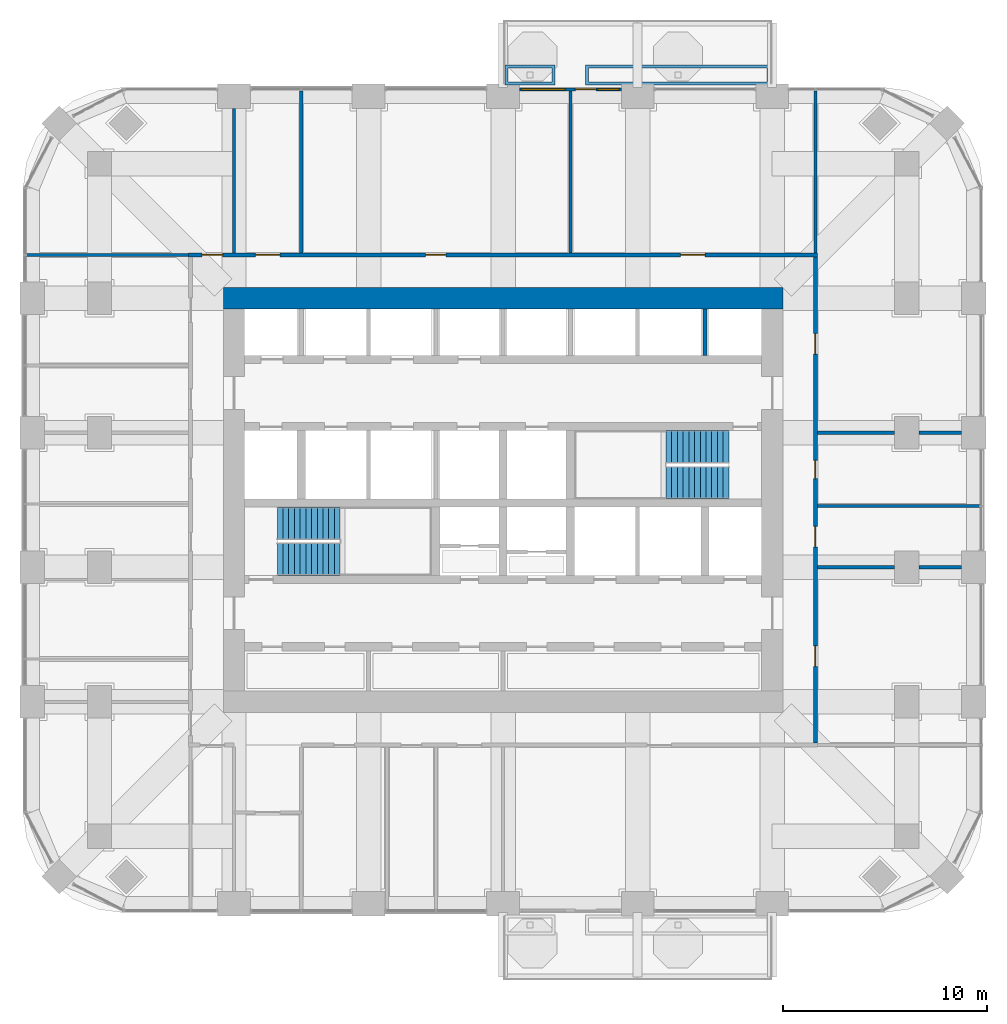
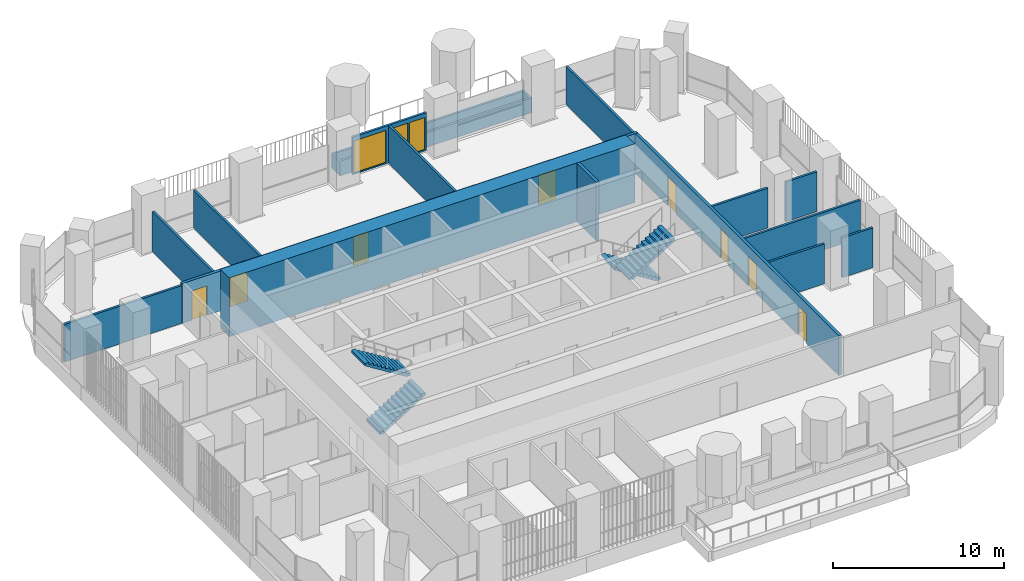
# One storey, part 15 of 19: 17 walls, 9 doors, 4 stair flights, 2 windows, 11 openings, 2 elements without a shape of their own.
"""IFC4 building model written with IfcOpenShell, lengths in metres."""

import ifcopenshell
import ifcopenshell.guid

model = None  # the IFC model being written
_history = None  # IfcOwnerHistory: only IFC2X3 demands one
_inside = {}  # id of a spatial element -> (the spatial element, [elements in it])
_under = {}  # id of a project, library or spatial element -> (it, [spatial elements below it])
_declared = {}  # id of a project -> (the project, [libraries it declares])
_typed = {}  # id of a type object -> (the type object, [elements of that type])
_made_of = {}  # id of a material, layer set ... -> (it, [elements and type objects made of it])


def new_model(schema):
    """Start an empty IFC model of exactly this schema.

    Asked for "IFC4X3", IfcOpenShell would pick the latest addendum, in which some entities
    have other attributes; the version numbers below select the first issue.
    IFC2X3 requires an IfcOwnerHistory on every rooted entity: one is made here for all.
    """
    global model, _history
    if schema == "IFC4X3":
        model = ifcopenshell.file(schema_version=(4, 3, 0, 0))
    else:
        model = ifcopenshell.file(schema=schema)
    _inside.clear()
    _under.clear()
    _declared.clear()
    _typed.clear()
    _made_of.clear()
    _history = None
    if model.schema == "IFC2X3":
        org = make("IfcOrganization", Name="unknown")
        user = make(
            "IfcPersonAndOrganization",
            ThePerson=make("IfcPerson", FamilyName="unknown"),
            TheOrganization=org,
        )
        app = make(
            "IfcApplication",
            ApplicationDeveloper=org,
            Version="unknown",
            ApplicationFullName="unknown",
            ApplicationIdentifier="unknown",
        )
        _history = make(
            "IfcOwnerHistory",
            OwningUser=user,
            OwningApplication=app,
            ChangeAction="ADDED",
            CreationDate=0,
        )
    return model


def make(cls, **values):
    """One entity of the class cls with the attributes given. An attribute that is None is left unset."""
    return model.create_entity(
        cls, **{name: value for name, value in values.items() if value is not None}
    )


def rooted(cls, **values):
    """An entity with a GlobalId (a new one), such as an element, a storey or a relation."""
    return make(cls, GlobalId=ifcopenshell.guid.new(), OwnerHistory=_history, **values)


def si_unit(unit_type, name, prefix=None):
    """IfcSIUnit, for example si_unit("LENGTHUNIT", "METRE", prefix="MILLI")."""
    return make("IfcSIUnit", UnitType=unit_type, Prefix=prefix, Name=name)


def assignment(units):
    """IfcUnitAssignment: the units of a project."""
    return None if units is None else make("IfcUnitAssignment", Units=units)


def point(xyz):
    """IfcCartesianPoint."""
    return None if xyz is None else make("IfcCartesianPoint", Coordinates=xyz)


def direction(xyz):
    """IfcDirection."""
    return None if xyz is None else make("IfcDirection", DirectionRatios=xyz)


def frame(location, z_axis=None, x_axis=None):
    """IfcAxis2Placement3D, a coordinate frame: its origin and axes. An axis left out is left unset."""
    return make(
        "IfcAxis2Placement3D",
        Location=point(location),
        Axis=direction(z_axis),
        RefDirection=direction(x_axis),
    )


def frame_2d(location, x_axis=None):
    """IfcAxis2Placement2D, a coordinate frame in the plane: its origin and x axis."""
    return make(
        "IfcAxis2Placement2D", Location=point(location), RefDirection=direction(x_axis)
    )


def origin():
    """The frame at (0, 0, 0) with its axes left unset."""
    return frame((0.0, 0.0, 0.0))


def place(relative_to, where):
    """IfcLocalPlacement: puts the frame where relative to a parent placement (None: the world)."""
    return make(
        "IfcLocalPlacement", PlacementRelTo=relative_to, RelativePlacement=where
    )


def context(
    kind, dimensions, precision=None, world=None, true_north=None, identifier=None
):
    """IfcGeometricRepresentationContext, for example the 3D "Model" context."""
    return make(
        "IfcGeometricRepresentationContext",
        ContextIdentifier=identifier,
        ContextType=kind,
        CoordinateSpaceDimension=dimensions,
        Precision=precision,
        WorldCoordinateSystem=world,
        TrueNorth=true_north,
    )


def subcontext(parent, identifier, kind, view, scale=None):
    """IfcGeometricRepresentationSubContext, for example "Body" below "Model"."""
    return make(
        "IfcGeometricRepresentationSubContext",
        ContextIdentifier=identifier,
        ContextType=kind,
        ParentContext=parent,
        TargetScale=scale,
        TargetView=view,
    )


def project(units=None, contexts=None):
    """IfcProject with its units and contexts."""
    return rooted(
        "IfcProject",
        Name="project",
        RepresentationContexts=contexts,
        UnitsInContext=assignment(units),
    )


def spatial(cls, under=None, at=None, **own):
    """A site, building, storey or space (cls), placed at a placement, below another one or the project."""
    s = rooted(cls, ObjectPlacement=at, **own)
    if under is not None:
        _under.setdefault(under.id(), (under, []))[1].append(s)
    return s


def polyline(points):
    """IfcPolyline through the points."""
    return make("IfcPolyline", Points=[point(p) for p in points])


def profile(cls, at=None, kind="AREA", **sizes):
    """A parametric profile (cls). Its sizes go by their IFC names, for example OverallWidth=200.0."""
    return make(cls, ProfileType=kind, Position=at, **sizes)


def rectangle(**sizes):
    """IfcRectangleProfileDef."""
    return profile("IfcRectangleProfileDef", **sizes)


def outline(outer, holes=None, kind="AREA"):
    """IfcArbitraryClosedProfileDef: a profile drawn as a closed curve; with holes, ...WithVoids."""
    if holes is None:
        return make("IfcArbitraryClosedProfileDef", ProfileType=kind, OuterCurve=outer)
    return make(
        "IfcArbitraryProfileDefWithVoids",
        ProfileType=kind,
        OuterCurve=outer,
        InnerCurves=holes,
    )


def extrude(swept, where, along, depth):
    """IfcExtrudedAreaSolid: the profile swept, set in the frame where, extruded along a direction by depth."""
    return make(
        "IfcExtrudedAreaSolid",
        SweptArea=swept,
        Position=where,
        ExtrudedDirection=direction(along),
        Depth=depth,
    )


def shape(context_of_items, identifier, shape_type, items):
    """IfcShapeRepresentation: the items that make up one representation, for example the "Body"."""
    return make(
        "IfcShapeRepresentation",
        ContextOfItems=context_of_items,
        RepresentationIdentifier=identifier,
        RepresentationType=shape_type,
        Items=items,
    )


def material(Name=None, Category=None):
    """IfcMaterial."""
    return make("IfcMaterial", Name=Name, Category=Category)


def layer(
    of_material, thickness, ventilated=None, Name=None, Category=None, Priority=None
):
    """IfcMaterialLayer: one layer of a wall or slab, of a material (None: an air gap)."""
    return make(
        "IfcMaterialLayer",
        Material=of_material,
        LayerThickness=thickness,
        IsVentilated=ventilated,
        Name=Name,
        Category=Category,
        Priority=Priority,
    )


def layer_set(layers, Name=None):
    """IfcMaterialLayerSet."""
    return make("IfcMaterialLayerSet", MaterialLayers=layers, LayerSetName=Name)


def made_of(thing, what):
    """Note that an element or type object is made of a material, layer set ...; save() writes the relation."""
    if what is not None:
        _made_of.setdefault(what.id(), (what, []))[1].append(thing)
    return thing


def type_object(cls, material=None, **own):
    """A type object (cls), such as IfcWallType, which elements share."""
    return made_of(rooted(cls, **own), material)


def element(
    cls,
    number,
    at=None,
    inside=None,
    cuts=None,
    type_object=None,
    material=None,
    context=None,
    identifier="Body",
    shape_type=None,
    held_by="IfcProductDefinitionShape",
    body=None,
    shapes=None,
    **own,
):
    """One element of the class cls, such as IfcWall. Its Tag is "e" and its number.

    at: its placement. inside: the storey or other place that contains it. cuts: it is an
    opening in that element (IfcRelVoidsElement). A single representation is given by context,
    identifier, shape_type and body (its items); several are given by shapes. held_by: the class
    of the entity that holds the representations. save() writes the other relations.
    """
    e = rooted(cls, Tag="e%d" % number, ObjectPlacement=at, **own)
    if body is not None:
        shapes = [shape(context, identifier, shape_type, body)]
    if shapes is not None:
        e.Representation = make(held_by, Representations=shapes)
    if inside is not None:
        _inside.setdefault(inside.id(), (inside, []))[1].append(e)
    if cuts is not None:
        rooted(
            "IfcRelVoidsElement", RelatingBuildingElement=cuts, RelatedOpeningElement=e
        )
    if type_object is not None:
        _typed.setdefault(type_object.id(), (type_object, []))[1].append(e)
    return made_of(e, material)


def fill(opening, filler):
    """IfcRelFillsElement: the door or window that sits in an opening."""
    return rooted(
        "IfcRelFillsElement",
        RelatingOpeningElement=opening,
        RelatedBuildingElement=filler,
    )


def aggregate(whole, parts):
    """IfcRelAggregates: a whole, such as a stair, and the parts it consists of."""
    return rooted("IfcRelAggregates", RelatingObject=whole, RelatedObjects=parts)


def save(model, path):
    """Write the relations noted so far, then the file.

    IfcRelAggregates (storeys below a building ...), IfcRelContainedInSpatialStructure (elements
    in a storey), IfcRelDefinesByType, IfcRelAssociatesMaterial and IfcRelDeclares: one each for
    every whole, place, type object, material and project.
    """
    for whole, parts in _under.values():
        aggregate(whole, parts)
    for where, things in _inside.values():
        rooted(
            "IfcRelContainedInSpatialStructure",
            RelatedElements=things,
            RelatingStructure=where,
        )
    for kind, things in _typed.values():
        rooted("IfcRelDefinesByType", RelatedObjects=things, RelatingType=kind)
    for what, things in _made_of.values():
        rooted("IfcRelAssociatesMaterial", RelatedObjects=things, RelatingMaterial=what)
    for by, libraries in _declared.values():
        rooted("IfcRelDeclares", RelatingContext=by, RelatedDefinitions=libraries)
    model.write(path)


model = new_model("IFC4")

# Units and contexts
model_context = context("Model", 3, precision=1e-05, world=origin(), true_north=direction((0.0, 1.0)))
body_context = subcontext(model_context, "Body", "Model", "MODEL_VIEW")
ifc_project = project(units=[si_unit("LENGTHUNIT", "METRE"), si_unit("AREAUNIT", "SQUARE_METRE"), si_unit("VOLUMEUNIT", "CUBIC_METRE"), si_unit("PLANEANGLEUNIT", "RADIAN"), si_unit("MASSUNIT", "GRAM", prefix="KILO")], contexts=[model_context])

# Site, building, storey
site_placement = place(None, origin())
site = spatial("IfcSite", under=ifc_project, at=site_placement, CompositionType="ELEMENT")
building_placement = place(site_placement, origin())
building = spatial("IfcBuilding", under=site, at=building_placement, Name="Cobogo Forest Laboratory Tower", CompositionType="ELEMENT")
storey_placement = place(building_placement, frame((0.0, 0.0, 164.10009765625)))
storey = spatial("IfcBuildingStorey", under=building, at=storey_placement, Name="L37", CompositionType="ELEMENT", Elevation=164.10009765625)

# Wall
ifc_material_1 = material(Name="Concrete HA-50 (C50/60)", Category="concrete")
ifc_layer_1 = layer(ifc_material_1, 1.050048828125)
ifc_layer_set_1 = layer_set([ifc_layer_1], Name="CW1050 core outer wall 1050")
wall_type_1 = type_object("IfcWallType", Name="CW1050 core outer wall 1050", PredefinedType="SHEAR", material=ifc_layer_set_1)
wall_1_placement = place(storey_placement, frame((40.125, 33.0, 0.0), z_axis=(0.0, 0.0, 1.0), x_axis=(-1.0, 0.0, 0.0)))
element("IfcWall", 1, at=wall_1_placement, inside=storey, type_object=wall_type_1, Name="Core wall CO-N L37", PredefinedType="SHEAR", context=body_context, shape_type="SweptSolid", body=[
    extrude(rectangle(XDim=27.449951171875, YDim=1.050048828125, at=frame_2d((13.72509765625, 0.0))), origin(), (0.0, 0.0, 1.0), 4.199951171875),
])

# Wall, openings, door, windows
ifc_material_2 = material(Name="Aluminium framed glazed screen", Category="aluminium")
ifc_layer_2 = layer(ifc_material_2, 0.14990234375)
ifc_layer_set_2 = layer_set([ifc_layer_2], Name="GS1 glazed door screen 150")
wall_type_2 = type_object("IfcWallType", Name="GS1 glazed door screen 150", PredefinedType="SOLIDWALL", material=ifc_layer_set_2)
wall_2_placement = place(storey_placement, frame((32.199951171875, 43.25, 0.0), z_axis=(0.0, 0.0, 1.0), x_axis=(-1.0, 0.0, 0.0)))
wall_2 = element("IfcWall", 2, at=wall_2_placement, inside=storey, type_object=wall_type_2, Name="Door screen BAL-N1 L37", PredefinedType="SOLIDWALL", context=body_context, shape_type="SweptSolid", body=[
    extrude(rectangle(XDim=5.0, YDim=0.14990234375, at=frame_2d((2.5, 0.0))), origin(), (0.0, 0.0, 1.0), 2.699951171875),
])
opening_1_placement = place(wall_2_placement, frame((1.25, 0.0, 0.0)))
opening_1 = element("IfcOpeningElement", 3, at=opening_1_placement, cuts=wall_2, Name="Opening L37-D41", PredefinedType="OPENING", context=body_context, shape_type="SweptSolid", body=[
    extrude(rectangle(XDim=1.0, YDim=2.39990234375, at=frame_2d((0.5, 1.199951171875))), frame((0.0, 0.0849609375, 0.0), z_axis=(0.0, -1.0, 0.0), x_axis=(1.0, 0.0, 0.0)), (0.0, 0.0, 1.0), 0.169921875),
])
opening_2_placement = place(wall_2_placement, frame((0.10009765625, 0.0, 0.10009765625)))
opening_2 = element("IfcOpeningElement", 4, at=opening_2_placement, cuts=wall_2, Name="Opening L37-W04", PredefinedType="OPENING", context=body_context, shape_type="SweptSolid", body=[
    extrude(rectangle(XDim=1.050048828125, YDim=2.300048828125, at=frame_2d((0.52490234375, 1.14990234375))), frame((0.0, 0.0849609375, 0.0), z_axis=(0.0, -1.0, 0.0), x_axis=(1.0, 0.0, 0.0)), (0.0, 0.0, 1.0), 0.169921875),
])
opening_3_placement = place(wall_2_placement, frame((2.75, 0.0, 0.10009765625)))
opening_3 = element("IfcOpeningElement", 5, at=opening_3_placement, cuts=wall_2, Name="Opening L37-W03", PredefinedType="OPENING", context=body_context, shape_type="SweptSolid", body=[
    extrude(rectangle(XDim=2.14990234375, YDim=2.300048828125, at=frame_2d((1.074951171875, 1.14990234375))), frame((0.0, 0.0849609375, 0.0), z_axis=(0.0, -1.0, 0.0), x_axis=(1.0, 0.0, 0.0)), (0.0, 0.0, 1.0), 0.169921875),
])
ifc_material_3 = material(Name="Aluminium glazed door", Category="aluminium")
door_type_1 = type_object("IfcDoorType", Name="DB1 balcony door 1000 glazed", OperationType="SINGLE_SWING_LEFT", PredefinedType="DOOR", material=ifc_material_3)
door_1_placement = place(opening_1_placement, origin())
door_1 = element("IfcDoor", 6, at=door_1_placement, inside=storey, type_object=door_type_1, Name="Door L37-BAL-N1", OperationType="SINGLE_SWING_LEFT", OverallHeight=2.39990234375, OverallWidth=1.0, PredefinedType="DOOR", context=body_context, shape_type="SweptSolid", body=[
    extrude(rectangle(XDim=1.0, YDim=2.39990234375, at=frame_2d((0.5, 1.199951171875))), frame((0.0, 0.02490234375, 0.0), z_axis=(0.0, -1.0, 0.0), x_axis=(1.0, 0.0, 0.0)), (0.0, 0.0, 1.0), 0.050048828125),
])
fill(opening_1, door_1)
ifc_material_4 = material(Name="Aluminium framed glazing", Category="aluminium")
window_type_1 = type_object("IfcWindowType", Name="WG13 fixed glazed light 2150x2300", PartitioningType="SINGLE_PANEL", PredefinedType="WINDOW", material=ifc_material_4)
window_1_placement = place(opening_3_placement, origin())
window_1 = element("IfcWindow", 7, at=window_1_placement, inside=storey, type_object=window_type_1, Name="Window L37-BAL-N1-2", OverallHeight=2.300048828125, OverallWidth=2.14990234375, PartitioningType="SINGLE_PANEL", PredefinedType="WINDOW", context=body_context, shape_type="SweptSolid", body=[
    extrude(rectangle(XDim=2.14990234375, YDim=2.300048828125, at=frame_2d((1.074951171875, 1.14990234375))), frame((0.0, 0.030029296875, 0.0), z_axis=(0.0, -1.0, 0.0), x_axis=(1.0, 0.0, 0.0)), (0.0, 0.0, 1.0), 0.06005859375),
])
fill(opening_3, window_1)
window_type_2 = type_object("IfcWindowType", Name="WG14 fixed glazed light 1050x2300", PartitioningType="SINGLE_PANEL", PredefinedType="WINDOW", material=ifc_material_4)
window_2_placement = place(opening_2_placement, origin())
window_2 = element("IfcWindow", 8, at=window_2_placement, inside=storey, type_object=window_type_2, Name="Window L37-BAL-N1-1", OverallHeight=2.300048828125, OverallWidth=1.050048828125, PartitioningType="SINGLE_PANEL", PredefinedType="WINDOW", context=body_context, shape_type="SweptSolid", body=[
    extrude(rectangle(XDim=1.050048828125, YDim=2.300048828125, at=frame_2d((0.52490234375, 1.14990234375))), frame((0.0, 0.030029296875, 0.0), z_axis=(0.0, -1.0, 0.0), x_axis=(1.0, 0.0, 0.0)), (0.0, 0.0, 1.0), 0.06005859375),
])
fill(opening_2, window_2)

# Walls
ifc_material_5 = material(Name="Gypsum board on steel studs", Category="steel")
ifc_layer_3 = layer(ifc_material_5, 0.14990234375)
ifc_layer_set_3 = layer_set([ifc_layer_3], Name="PT1 laboratory partition 150")
wall_type_3 = type_object("IfcWallType", Name="PT1 laboratory partition 150", PredefinedType="PARTITIONING", material=ifc_layer_set_3)
wall_3_placement = place(storey_placement, frame((41.72509765625, 43.169921875, 0.0), z_axis=(0.0, 0.0, 1.0), x_axis=(0.0, -1.0, 0.0)))
element("IfcWall", 9, at=wall_3_placement, inside=storey, type_object=wall_type_3, Name="Partition PW-NE L37", PredefinedType="PARTITIONING", context=body_context, shape_type="SweptSolid", body=[
    extrude(rectangle(XDim=7.94482421875, YDim=0.14990234375, at=frame_2d((3.972412109375, 0.0))), origin(), (0.0, 0.0, 1.0), 2.699951171875),
])
for number, where, z_axis, x_axis, name in (
    (10, (3.030029296875, 35.125, 0.0), (0.0, 0.0, 1.0), (1.0, 0.0, 0.0), "Partition PW-NW L37"),
    (11, (49.77001953125, 22.800048828125, 0.0), (0.0, 0.0, 1.0), (-1.0, 0.0, 0.0), "Partition SVC-E1-1 L37"),
):
    element("IfcWall", number, at=place(storey_placement, frame(where, z_axis=z_axis, x_axis=x_axis)), inside=storey, type_object=wall_type_3, Name=name, PredefinedType="PARTITIONING", context=body_context, shape_type="SweptSolid", body=[
        extrude(rectangle(XDim=7.945068359375, YDim=0.14990234375, at=frame_2d((3.97265625, 0.0))), origin(), (0.0, 0.0, 1.0), 2.699951171875),
    ])
wall_4_placement = place(storey_placement, frame((48.89990234375, 26.39990234375, 0.0), z_axis=(0.0, 0.0, 1.0), x_axis=(-1.0, 0.0, 0.0)))
element("IfcWall", 12, at=wall_4_placement, inside=storey, type_object=wall_type_3, Name="Partition SVC-E2-1 L37", PredefinedType="PARTITIONING", context=body_context, shape_type="SweptSolid", body=[
    extrude(rectangle(XDim=2.099853515625, YDim=0.14990234375, at=frame_2d((1.0498046875, 0.0))), origin(), (0.0, 0.0, 1.0), 2.849853515625),
])
wall_5_placement = place(storey_placement, frame((45.60009765625, 26.39990234375, 0.0), z_axis=(0.0, 0.0, 1.0), x_axis=(-1.0, 0.0, 0.0)))
element("IfcWall", 13, at=wall_5_placement, inside=storey, type_object=wall_type_3, Name="Partition SVC-E2-2 L37", PredefinedType="PARTITIONING", context=body_context, shape_type="SweptSolid", body=[
    extrude(rectangle(XDim=3.775146484375, YDim=0.14990234375, at=frame_2d((1.8876953125, 0.0))), origin(), (0.0, 0.0, 1.0), 2.849853515625),
])
wall_6_placement = place(storey_placement, frame((48.89990234375, 19.800048828125, 0.0), z_axis=(0.0, 0.0, 1.0), x_axis=(-1.0, 0.0, 0.0)))
element("IfcWall", 14, at=wall_6_placement, inside=storey, type_object=wall_type_3, Name="Partition CUT-E19.8-1 L37", PredefinedType="PARTITIONING", context=body_context, shape_type="SweptSolid", body=[
    extrude(rectangle(XDim=2.099853515625, YDim=0.14990234375, at=frame_2d((1.0498046875, 0.0))), origin(), (0.0, 0.0, 1.0), 2.849853515625),
])
wall_7_placement = place(storey_placement, frame((45.60009765625, 19.800048828125, 0.0), z_axis=(0.0, 0.0, 1.0), x_axis=(-1.0, 0.0, 0.0)))
element("IfcWall", 15, at=wall_7_placement, inside=storey, type_object=wall_type_3, Name="Partition CUT-E19.8-2 L37", PredefinedType="PARTITIONING", context=body_context, shape_type="SweptSolid", body=[
    extrude(rectangle(XDim=3.775146484375, YDim=0.14990234375, at=frame_2d((1.8876953125, 0.0))), origin(), (0.0, 0.0, 1.0), 2.849853515625),
])
wall_8_placement = place(storey_placement, frame((13.199951171875, 42.300048828125, 0.0), z_axis=(0.0, 0.0, 1.0), x_axis=(0.0, -1.0, 0.0)))
element("IfcWall", 16, at=wall_8_placement, inside=storey, type_object=wall_type_3, Name="Partition CUT-N13.2-1 L37", PredefinedType="PARTITIONING", context=body_context, shape_type="SweptSolid", body=[
    extrude(rectangle(XDim=7.074951171875, YDim=0.14990234375, at=frame_2d((3.53759765625, 0.0))), origin(), (0.0, 0.0, 1.0), 2.849853515625),
])
for number, where, z_axis, x_axis, name in (
    (17, (16.5, 43.169921875, 0.0), (0.0, 0.0, 1.0), (0.0, -1.0, 0.0), "Partition CUT-N16.5-1 L37"),
    (18, (29.699951171875, 43.169921875, 0.0), (0.0, 0.0, 1.0), (0.0, -1.0, 0.0), "Partition CUT-N29.7-1 L37"),
):
    element("IfcWall", number, at=place(storey_placement, frame(where, z_axis=z_axis, x_axis=x_axis)), inside=storey, type_object=wall_type_3, Name=name, PredefinedType="PARTITIONING", context=body_context, shape_type="SweptSolid", body=[
        extrude(rectangle(XDim=7.94482421875, YDim=0.14990234375, at=frame_2d((3.972412109375, 0.0))), origin(), (0.0, 0.0, 1.0), 2.699951171875),
    ])

# Wall, openings, doors
ifc_layer_4 = layer(ifc_material_5, 0.199951171875)
ifc_layer_set_4 = layer_set([ifc_layer_4], Name="PT2 fire-rated corridor partition 200")
wall_type_4 = type_object("IfcWallType", Name="PT2 fire-rated corridor partition 200", PredefinedType="PARTITIONING", material=ifc_layer_set_4)
wall_9_placement = place(storey_placement, frame((10.97509765625, 35.125, 0.0), z_axis=(0.0, 0.0, 1.0), x_axis=(1.0, 0.0, 0.0)))
wall_9 = element("IfcWall", 19, at=wall_9_placement, inside=storey, type_object=wall_type_4, Name="Partition CORR-N L37", PredefinedType="PARTITIONING", context=body_context, shape_type="SweptSolid", body=[
    extrude(rectangle(XDim=30.849853515625, YDim=0.199951171875, at=frame_2d((15.4248046875, 0.0))), origin(), (0.0, 0.0, 1.0), 2.849853515625),
])
opening_4_placement = place(wall_9_placement, frame((0.66259765625, 0.0, 0.0)))
opening_4 = element("IfcOpeningElement", 20, at=opening_4_placement, cuts=wall_9, Name="Opening L37-D37", PredefinedType="OPENING", context=body_context, shape_type="SweptSolid", body=[
    extrude(rectangle(XDim=1.0, YDim=2.10009765625, at=frame_2d((0.5, 1.050048828125))), frame((0.0, 0.10986328125, 0.0), z_axis=(0.0, -1.0, 0.0), x_axis=(1.0, 0.0, 0.0)), (0.0, 0.0, 1.0), 0.219970703125),
])
opening_5_placement = place(wall_9_placement, frame((3.27490234375, 0.0, 0.0)))
opening_5 = element("IfcOpeningElement", 21, at=opening_5_placement, cuts=wall_9, Name="Opening L37-D38", PredefinedType="OPENING", context=body_context, shape_type="SweptSolid", body=[
    extrude(rectangle(XDim=1.199951171875, YDim=2.10009765625, at=frame_2d((0.60009765625, 1.050048828125))), frame((0.0, 0.10986328125, 0.0), z_axis=(0.0, -1.0, 0.0), x_axis=(1.0, 0.0, 0.0)), (0.0, 0.0, 1.0), 0.219970703125),
])
opening_6_placement = place(wall_9_placement, frame((11.625, 0.0, 0.0)))
opening_6 = element("IfcOpeningElement", 22, at=opening_6_placement, cuts=wall_9, Name="Opening L37-D39", PredefinedType="OPENING", context=body_context, shape_type="SweptSolid", body=[
    extrude(rectangle(XDim=1.0, YDim=2.10009765625, at=frame_2d((0.5, 1.050048828125))), frame((0.0, 0.10986328125, 0.0), z_axis=(0.0, -1.0, 0.0), x_axis=(1.0, 0.0, 0.0)), (0.0, 0.0, 1.0), 0.219970703125),
])
opening_7_placement = place(wall_9_placement, frame((24.137451171875, 0.0, 0.0)))
opening_7 = element("IfcOpeningElement", 23, at=opening_7_placement, cuts=wall_9, Name="Opening L37-D40", PredefinedType="OPENING", context=body_context, shape_type="SweptSolid", body=[
    extrude(rectangle(XDim=1.199951171875, YDim=2.10009765625, at=frame_2d((0.60009765625, 1.050048828125))), frame((0.0, 0.10986328125, 0.0), z_axis=(0.0, -1.0, 0.0), x_axis=(1.0, 0.0, 0.0)), (0.0, 0.0, 1.0), 0.219970703125),
])
ifc_material_6 = material(Name="Timber door", Category="wood")
door_type_2 = type_object("IfcDoorType", Name="D2 laboratory door 1200 unequal pair", OperationType="DOUBLE_DOOR_SINGLE_SWING", PredefinedType="DOOR", material=ifc_material_6)
door_2_placement = place(opening_5_placement, origin())
door_2 = element("IfcDoor", 24, at=door_2_placement, inside=storey, type_object=door_type_2, Name="Door L37-N2", OperationType="DOUBLE_DOOR_SINGLE_SWING", OverallHeight=2.10009765625, OverallWidth=1.199951171875, PredefinedType="DOOR", context=body_context, shape_type="SweptSolid", body=[
    extrude(rectangle(XDim=1.199951171875, YDim=2.10009765625, at=frame_2d((0.60009765625, 1.050048828125))), frame((0.0, 0.02490234375, 0.0), z_axis=(0.0, -1.0, 0.0), x_axis=(1.0, 0.0, 0.0)), (0.0, 0.0, 1.0), 0.050048828125),
])
fill(opening_5, door_2)
door_3_placement = place(opening_7_placement, origin())
door_3 = element("IfcDoor", 25, at=door_3_placement, inside=storey, type_object=door_type_2, Name="Door L37-N4", OperationType="DOUBLE_DOOR_SINGLE_SWING", OverallHeight=2.10009765625, OverallWidth=1.199951171875, PredefinedType="DOOR", context=body_context, shape_type="SweptSolid", body=[
    extrude(rectangle(XDim=1.199951171875, YDim=2.10009765625, at=frame_2d((0.60009765625, 1.050048828125))), frame((0.0, 0.02490234375, 0.0), z_axis=(0.0, -1.0, 0.0), x_axis=(1.0, 0.0, 0.0)), (0.0, 0.0, 1.0), 0.050048828125),
])
fill(opening_7, door_3)
ifc_material_7 = material(Name="Timber fire door", Category="wood")
door_type_3 = type_object("IfcDoorType", Name="FD2 fire door 1000 EI2 30", OperationType="SINGLE_SWING_LEFT", PredefinedType="DOOR", material=ifc_material_7)
door_4_placement = place(opening_4_placement, origin())
door_4 = element("IfcDoor", 26, at=door_4_placement, inside=storey, type_object=door_type_3, Name="Door L37-N1", OperationType="SINGLE_SWING_LEFT", OverallHeight=2.10009765625, OverallWidth=1.0, PredefinedType="DOOR", context=body_context, shape_type="SweptSolid", body=[
    extrude(rectangle(XDim=1.0, YDim=2.10009765625, at=frame_2d((0.5, 1.050048828125))), frame((0.0, 0.02490234375, 0.0), z_axis=(0.0, -1.0, 0.0), x_axis=(1.0, 0.0, 0.0)), (0.0, 0.0, 1.0), 0.050048828125),
])
fill(opening_4, door_4)
door_5_placement = place(opening_6_placement, origin())
door_5 = element("IfcDoor", 27, at=door_5_placement, inside=storey, type_object=door_type_3, Name="Door L37-N3", OperationType="SINGLE_SWING_LEFT", OverallHeight=2.10009765625, OverallWidth=1.0, PredefinedType="DOOR", context=body_context, shape_type="SweptSolid", body=[
    extrude(rectangle(XDim=1.0, YDim=2.10009765625, at=frame_2d((0.5, 1.050048828125))), frame((0.0, 0.02490234375, 0.0), z_axis=(0.0, -1.0, 0.0), x_axis=(1.0, 0.0, 0.0)), (0.0, 0.0, 1.0), 0.050048828125),
])
fill(opening_6, door_5)

wall_10_placement = place(storey_placement, frame((41.72509765625, 11.175048828125, 0.0), z_axis=(0.0, 0.0, 1.0), x_axis=(0.0, 1.0, 0.0)))
wall_10 = element("IfcWall", 28, at=wall_10_placement, inside=storey, type_object=wall_type_4, Name="Partition CORR-E L37", PredefinedType="PARTITIONING", context=body_context, shape_type="SweptSolid", body=[
    extrude(rectangle(XDim=23.849853515625, YDim=0.199951171875, at=frame_2d((11.9248046875, 0.0))), origin(), (0.0, 0.0, 1.0), 2.849853515625),
])
opening_8_placement = place(wall_10_placement, frame((3.762451171875, 0.0, 0.0)))
opening_8 = element("IfcOpeningElement", 29, at=opening_8_placement, cuts=wall_10, Name="Opening L37-D10", PredefinedType="OPENING", context=body_context, shape_type="SweptSolid", body=[
    extrude(rectangle(XDim=1.0, YDim=2.10009765625, at=frame_2d((0.5, 1.050048828125))), frame((0.0, 0.10986328125, 0.0), z_axis=(0.0, -1.0, 0.0), x_axis=(1.0, 0.0, 0.0)), (0.0, 0.0, 1.0), 0.219970703125),
])
opening_9_placement = place(wall_10_placement, frame((9.625, 0.0, 0.0)))
opening_9 = element("IfcOpeningElement", 30, at=opening_9_placement, cuts=wall_10, Name="Opening L37-D28", PredefinedType="OPENING", context=body_context, shape_type="SweptSolid", body=[
    extrude(rectangle(XDim=1.0, YDim=2.10009765625, at=frame_2d((0.5, 1.050048828125))), frame((0.0, 0.10986328125, 0.0), z_axis=(0.0, -1.0, 0.0), x_axis=(1.0, 0.0, 0.0)), (0.0, 0.0, 1.0), 0.219970703125),
])
opening_10_placement = place(wall_10_placement, frame((12.97509765625, 0.0, 0.0)))
opening_10 = element("IfcOpeningElement", 31, at=opening_10_placement, cuts=wall_10, Name="Opening L37-D29", PredefinedType="OPENING", context=body_context, shape_type="SweptSolid", body=[
    extrude(rectangle(XDim=0.89990234375, YDim=2.10009765625, at=frame_2d((0.449951171875, 1.050048828125))), frame((0.0, 0.10986328125, 0.0), z_axis=(0.0, -1.0, 0.0), x_axis=(1.0, 0.0, 0.0)), (0.0, 0.0, 1.0), 0.219970703125),
])
opening_11_placement = place(wall_10_placement, frame((19.08740234375, 0.0, 0.0)))
opening_11 = element("IfcOpeningElement", 32, at=opening_11_placement, cuts=wall_10, Name="Opening L37-D35", PredefinedType="OPENING", context=body_context, shape_type="SweptSolid", body=[
    extrude(rectangle(XDim=1.0, YDim=2.10009765625, at=frame_2d((0.5, 1.050048828125))), frame((0.0, 0.10986328125, 0.0), z_axis=(0.0, -1.0, 0.0), x_axis=(1.0, 0.0, 0.0)), (0.0, 0.0, 1.0), 0.219970703125),
])
ifc_material_8 = material(Name="Steel fire door", Category="steel")
door_type_4 = type_object("IfcDoorType", Name="FD1 fire door 1000 EI2 60", OperationType="SINGLE_SWING_LEFT", PredefinedType="DOOR", material=ifc_material_8)
door_6_placement = place(opening_9_placement, origin())
door_6 = element("IfcDoor", 33, at=door_6_placement, inside=storey, type_object=door_type_4, Name="Door L37-ELEC", OperationType="SINGLE_SWING_LEFT", OverallHeight=2.10009765625, OverallWidth=1.0, PredefinedType="DOOR", context=body_context, shape_type="SweptSolid", body=[
    extrude(rectangle(XDim=1.0, YDim=2.10009765625, at=frame_2d((0.5, 1.050048828125))), frame((0.0, 0.02490234375, 0.0), z_axis=(0.0, -1.0, 0.0), x_axis=(1.0, 0.0, 0.0)), (0.0, 0.0, 1.0), 0.050048828125),
])
fill(opening_9, door_6)
door_7_placement = place(opening_8_placement, origin())
door_7 = element("IfcDoor", 34, at=door_7_placement, inside=storey, type_object=door_type_3, Name="Door L37-E1", OperationType="SINGLE_SWING_LEFT", OverallHeight=2.10009765625, OverallWidth=1.0, PredefinedType="DOOR", context=body_context, shape_type="SweptSolid", body=[
    extrude(rectangle(XDim=1.0, YDim=2.10009765625, at=frame_2d((0.5, 1.050048828125))), frame((0.0, 0.02490234375, 0.0), z_axis=(0.0, -1.0, 0.0), x_axis=(1.0, 0.0, 0.0)), (0.0, 0.0, 1.0), 0.050048828125),
])
fill(opening_8, door_7)
door_8_placement = place(opening_11_placement, origin())
door_8 = element("IfcDoor", 35, at=door_8_placement, inside=storey, type_object=door_type_3, Name="Door L37-E2", OperationType="SINGLE_SWING_RIGHT", OverallHeight=2.10009765625, OverallWidth=1.0, PredefinedType="DOOR", context=body_context, shape_type="SweptSolid", body=[
    extrude(rectangle(XDim=1.0, YDim=2.10009765625, at=frame_2d((0.5, 1.050048828125))), frame((0.0, 0.02490234375, 0.0), z_axis=(0.0, -1.0, 0.0), x_axis=(1.0, 0.0, 0.0)), (0.0, 0.0, 1.0), 0.050048828125),
])
fill(opening_11, door_8)
door_type_5 = type_object("IfcDoorType", Name="FD4 riser access door 900 EI2 60", OperationType="SINGLE_SWING_LEFT", PredefinedType="DOOR", material=ifc_material_8)
door_9_placement = place(opening_10_placement, origin())
door_9 = element("IfcDoor", 36, at=door_9_placement, inside=storey, type_object=door_type_5, Name="Door L37-COMMS", OperationType="SINGLE_SWING_RIGHT", OverallHeight=2.10009765625, OverallWidth=0.89990234375, PredefinedType="DOOR", context=body_context, shape_type="SweptSolid", body=[
    extrude(rectangle(XDim=0.89990234375, YDim=2.10009765625, at=frame_2d((0.449951171875, 1.050048828125))), frame((0.0, 0.02490234375, 0.0), z_axis=(0.0, -1.0, 0.0), x_axis=(1.0, 0.0, 0.0)), (0.0, 0.0, 1.0), 0.050048828125),
])
fill(opening_10, door_9)

# Walls
ifc_material_9 = material(Name="Concrete HA-40 (C40/50)", Category="concrete")
ifc_layer_5 = layer(ifc_material_9, 0.14990234375)
ifc_layer_set_5 = layer_set([ifc_layer_5], Name="Planter box 1000x1050")
wall_type_5 = type_object("IfcWallType", Name="Planter box 1000x1050", PredefinedType="USERDEFINED", material=ifc_layer_set_5)
wall_11_placement = place(storey_placement, origin())
element("IfcWall", 37, at=wall_11_placement, inside=storey, type_object=wall_type_5, Name="Planter BAL-N1-1 L37", ObjectType="PLANTER", PredefinedType="USERDEFINED", context=body_context, shape_type="SweptSolid", body=[
    extrude(outline(polyline([(26.5, 43.449951171875), (28.949951171875, 43.449951171875), (28.949951171875, 44.449951171875), (26.5, 44.449951171875), (26.5, 43.449951171875)]), holes=[polyline([(26.64990234375, 43.60009765625), (28.800048828125, 43.60009765625), (28.800048828125, 44.300048828125), (26.64990234375, 44.300048828125), (26.64990234375, 43.60009765625)])]), origin(), (0.0, 0.0, 1.0), 1.0498046875),
])
wall_12_placement = place(storey_placement, origin())
element("IfcWall", 38, at=wall_12_placement, inside=storey, type_object=wall_type_5, Name="Planter BAL-N1-2 L37", ObjectType="PLANTER", PredefinedType="USERDEFINED", context=body_context, shape_type="SweptSolid", body=[
    extrude(outline(polyline([(30.449951171875, 43.449951171875), (39.5, 43.449951171875), (39.5, 44.449951171875), (30.449951171875, 44.449951171875), (30.449951171875, 43.449951171875)]), holes=[polyline([(30.60009765625, 43.60009765625), (39.35009765625, 43.60009765625), (39.35009765625, 44.300048828125), (30.60009765625, 44.300048828125), (30.60009765625, 43.60009765625)])]), origin(), (0.0, 0.0, 1.0), 1.0498046875),
])
ifc_material_10 = material(Name="Concrete block", Category="concrete")
ifc_layer_6 = layer(ifc_material_10, 0.199951171875)
ifc_layer_set_6 = layer_set([ifc_layer_6], Name="SW200 lift shaft separator 200")
wall_type_6 = type_object("IfcWallType", Name="SW200 lift shaft separator 200", PredefinedType="PARTITIONING", material=ifc_layer_set_6)
wall_13_placement = place(storey_placement, frame((36.300048828125, 30.199951171875, 0.0), z_axis=(0.0, 0.0, 1.0), x_axis=(0.0, 1.0, 0.0)))
element("IfcWall", 39, at=wall_13_placement, inside=storey, type_object=wall_type_6, Name="Core wall SEP-N7 L37", PredefinedType="PARTITIONING", context=body_context, shape_type="SweptSolid", body=[
    extrude(rectangle(XDim=2.275146484375, YDim=0.199951171875, at=frame_2d((1.1376953125, 0.0))), origin(), (0.0, 0.0, 1.0), 4.199951171875),
])

# Stair, stair flights
ifc_material_11 = material(Name="Precast concrete HA-40 (C40/50)", Category="concrete")
stair_type = type_object("IfcStairType", Name="ST24 exit stair 24 risers", PredefinedType="HALF_TURN_STAIR", material=ifc_material_11)
stair_1_placement = place(storey_placement, origin())
stair_1 = element("IfcStair", 40, at=stair_1_placement, inside=storey, type_object=stair_type, Name="Stair 1 L37 to L38", PredefinedType="HALF_TURN_STAIR")
stair_flight_type = type_object("IfcStairFlightType", Name="ST stair flight 280 going", PredefinedType="STRAIGHT", material=ifc_material_11)
stair_flight_1_placement = place(storey_placement, frame((15.324951171875, 20.199951171875, 0.0), z_axis=(0.0, 0.0, 1.0), x_axis=(1.0, 0.0, 0.0)))
stair_flight_1 = element("IfcStairFlight", 41, at=stair_flight_1_placement, type_object=stair_flight_type, Name="ST1 flight 1", NumberOfRisers=12, NumberOfTreads=11, PredefinedType="STRAIGHT", RiserHeight=0.175, TreadLength=0.28, context=body_context, shape_type="SweptSolid", body=[
    extrude(outline(polyline([(0.0, 0.0), (0.0, 0.175048828125), (0.280029296875, 0.175048828125), (0.280029296875, 0.35009765625), (0.56005859375, 0.35009765625), (0.56005859375, 0.52490234375), (0.840087890625, 0.52490234375), (0.840087890625, 0.699951171875), (1.1201171875, 0.699951171875), (1.1201171875, 0.875), (1.39990234375, 0.875), (1.39990234375, 1.050048828125), (1.679931640625, 1.050048828125), (1.679931640625, 1.22509765625), (1.9599609375, 1.22509765625), (1.9599609375, 1.39990234375), (2.239990234375, 1.39990234375), (2.239990234375, 1.574951171875), (2.52001953125, 1.574951171875), (2.52001953125, 1.75), (2.800048828125, 1.75), (2.800048828125, 1.925048828125), (3.080078125, 1.925048828125), (3.080078125, 2.10009765625), (3.080078125, 1.748291015625), (0.28271484375, 0.0), (0.0, 0.0)])), frame((0.0, 0.800048828125, 0.0), z_axis=(0.0, -1.0, 0.0), x_axis=(1.0, 0.0, 0.0)), (0.0, 0.0, 1.0), 1.60009765625),
])
stair_flight_2_placement = place(storey_placement, frame((18.405029296875, 21.949951171875, 2.099853515625), z_axis=(0.0, 0.0, 1.0), x_axis=(-1.0, 0.0, 0.0)))
stair_flight_2 = element("IfcStairFlight", 42, at=stair_flight_2_placement, type_object=stair_flight_type, Name="ST1 flight 2", NumberOfRisers=12, NumberOfTreads=11, PredefinedType="STRAIGHT", RiserHeight=0.175, TreadLength=0.28, context=body_context, shape_type="SweptSolid", body=[
    extrude(outline(polyline([(0.0, 0.0), (0.0, 0.175048828125), (0.280029296875, 0.175048828125), (0.280029296875, 0.35009765625), (0.56005859375, 0.35009765625), (0.56005859375, 0.52490234375), (0.840087890625, 0.52490234375), (0.840087890625, 0.699951171875), (1.1201171875, 0.699951171875), (1.1201171875, 0.875), (1.39990234375, 0.875), (1.39990234375, 1.050048828125), (1.679931640625, 1.050048828125), (1.679931640625, 1.22509765625), (1.9599609375, 1.22509765625), (1.9599609375, 1.39990234375), (2.239990234375, 1.39990234375), (2.239990234375, 1.574951171875), (2.52001953125, 1.574951171875), (2.52001953125, 1.75), (2.800048828125, 1.75), (2.800048828125, 1.925048828125), (3.080078125, 1.925048828125), (3.080078125, 2.10009765625), (3.080078125, 1.748291015625), (0.28271484375, 0.0), (0.0, 0.0)])), frame((0.0, 0.800048828125, 0.0), z_axis=(0.0, -1.0, 0.0), x_axis=(1.0, 0.0, 0.0)), (0.0, 0.0, 1.0), 1.60009765625),
])
aggregate(stair_1, [stair_flight_1, stair_flight_2])

stair_2_placement = place(storey_placement, origin())
stair_2 = element("IfcStair", 43, at=stair_2_placement, inside=storey, type_object=stair_type, Name="Stair 2 L37 to L38", PredefinedType="HALF_TURN_STAIR")
stair_flight_3_placement = place(storey_placement, frame((37.47509765625, 25.699951171875, 0.0), z_axis=(0.0, 0.0, 1.0), x_axis=(-1.0, 0.0, 0.0)))
stair_flight_3 = element("IfcStairFlight", 44, at=stair_flight_3_placement, type_object=stair_flight_type, Name="ST2 flight 1", NumberOfRisers=12, NumberOfTreads=11, PredefinedType="STRAIGHT", RiserHeight=0.175, TreadLength=0.28, context=body_context, shape_type="SweptSolid", body=[
    extrude(outline(polyline([(0.0, 0.0), (0.0, 0.175048828125), (0.280029296875, 0.175048828125), (0.280029296875, 0.35009765625), (0.56005859375, 0.35009765625), (0.56005859375, 0.52490234375), (0.840087890625, 0.52490234375), (0.840087890625, 0.699951171875), (1.1201171875, 0.699951171875), (1.1201171875, 0.875), (1.39990234375, 0.875), (1.39990234375, 1.050048828125), (1.679931640625, 1.050048828125), (1.679931640625, 1.22509765625), (1.9599609375, 1.22509765625), (1.9599609375, 1.39990234375), (2.239990234375, 1.39990234375), (2.239990234375, 1.574951171875), (2.52001953125, 1.574951171875), (2.52001953125, 1.75), (2.800048828125, 1.75), (2.800048828125, 1.925048828125), (3.080078125, 1.925048828125), (3.080078125, 2.10009765625), (3.080078125, 1.748291015625), (0.28271484375, 0.0), (0.0, 0.0)])), frame((0.0, 0.800048828125, 0.0), z_axis=(0.0, -1.0, 0.0), x_axis=(1.0, 0.0, 0.0)), (0.0, 0.0, 1.0), 1.60009765625),
])
stair_flight_4_placement = place(storey_placement, frame((34.39501953125, 23.949951171875, 2.099853515625), z_axis=(0.0, 0.0, 1.0), x_axis=(1.0, 0.0, 0.0)))
stair_flight_4 = element("IfcStairFlight", 45, at=stair_flight_4_placement, type_object=stair_flight_type, Name="ST2 flight 2", NumberOfRisers=12, NumberOfTreads=11, PredefinedType="STRAIGHT", RiserHeight=0.175, TreadLength=0.28, context=body_context, shape_type="SweptSolid", body=[
    extrude(outline(polyline([(0.0, 0.0), (0.0, 0.175048828125), (0.280029296875, 0.175048828125), (0.280029296875, 0.35009765625), (0.56005859375, 0.35009765625), (0.56005859375, 0.52490234375), (0.840087890625, 0.52490234375), (0.840087890625, 0.699951171875), (1.1201171875, 0.699951171875), (1.1201171875, 0.875), (1.39990234375, 0.875), (1.39990234375, 1.050048828125), (1.679931640625, 1.050048828125), (1.679931640625, 1.22509765625), (1.9599609375, 1.22509765625), (1.9599609375, 1.39990234375), (2.239990234375, 1.39990234375), (2.239990234375, 1.574951171875), (2.52001953125, 1.574951171875), (2.52001953125, 1.75), (2.800048828125, 1.75), (2.800048828125, 1.925048828125), (3.080078125, 1.925048828125), (3.080078125, 2.10009765625), (3.080078125, 1.748291015625), (0.28271484375, 0.0), (0.0, 0.0)])), frame((0.0, 0.800048828125, 0.0), z_axis=(0.0, -1.0, 0.0), x_axis=(1.0, 0.0, 0.0)), (0.0, 0.0, 1.0), 1.60009765625),
])
aggregate(stair_2, [stair_flight_3, stair_flight_4])

save(model, "model.ifc")
